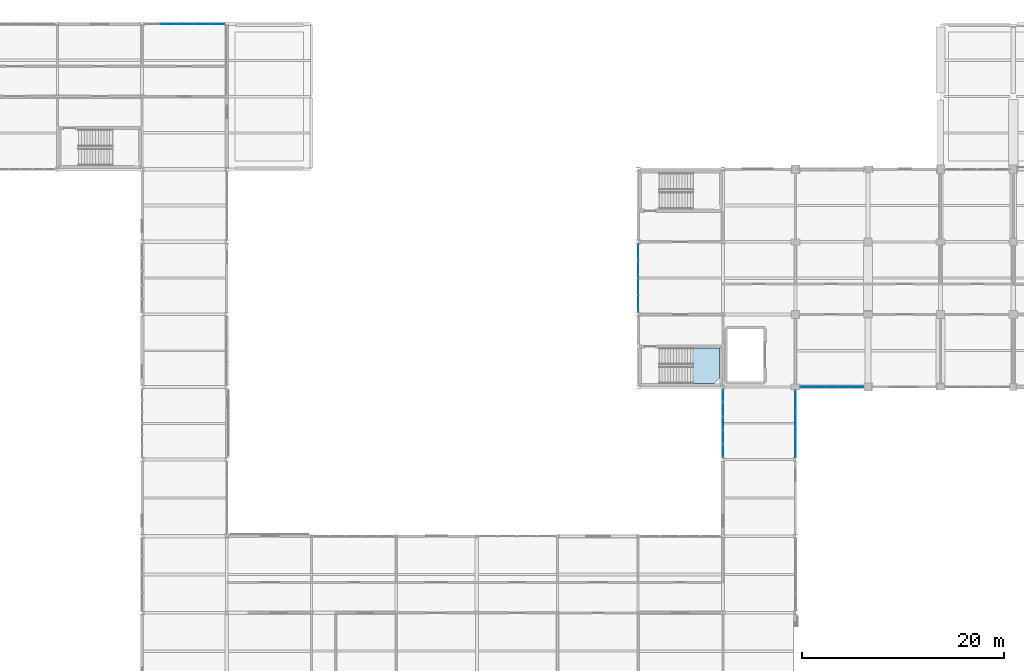
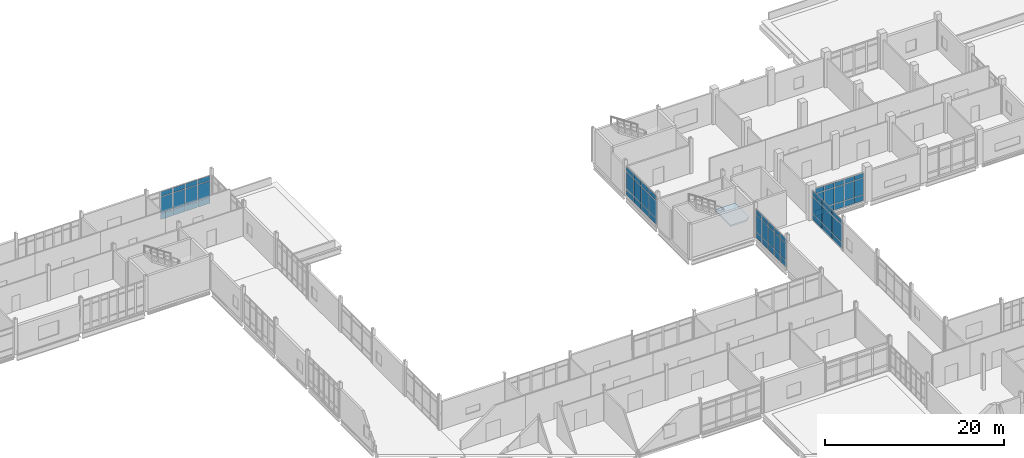
# One storey, part 130 of 186: 63 plates, 1 slab, 6 elements without a shape of their own.
"""IFC4 building model written with IfcOpenShell, lengths in metres."""

from ifc_helpers import new_model, si_unit, direction, frame, origin, origin_2d, place, context, subcontext, project, spatial, polyline, rectangle, outline, extrude, material, layer, layer_set, type_object, element, aggregate, save


model = new_model("IFC4")

# Units and contexts
model_context = context("Model", 3, precision=1e-05, world=origin(), true_north=direction((0.0, 1.0)))
body_context = subcontext(model_context, "Body", "Model", "MODEL_VIEW")
ifc_project = project(units=[si_unit("LENGTHUNIT", "METRE"), si_unit("AREAUNIT", "SQUARE_METRE"), si_unit("VOLUMEUNIT", "CUBIC_METRE"), si_unit("PLANEANGLEUNIT", "RADIAN"), si_unit("MASSUNIT", "GRAM", prefix="KILO")], contexts=[model_context])

# Site, building, storey
site_placement = place(None, origin())
site = spatial("IfcSite", under=ifc_project, at=site_placement, CompositionType="ELEMENT")
building_placement = place(site_placement, origin())
building = spatial("IfcBuilding", under=site, at=building_placement, Name="Calvrana Isthmian Art Gallery", CompositionType="ELEMENT")
storey_placement = place(building_placement, frame((0.0, 0.0, 5.39990234375)))
storey = spatial("IfcBuildingStorey", under=building, at=storey_placement, Name="L01", CompositionType="ELEMENT", Elevation=5.39990234375)

# Curtain wall, plates
ifc_material_1 = material(Name="Anodized bronze aluminium 6063-T6", Category="aluminium")
ifc_layer_1 = layer(ifc_material_1, 0.179931640625, Name="Anodized bronze aluminium 6063-T6")
ifc_layer_set_1 = layer_set([ifc_layer_1], Name="Anodized bronze aluminium 6063-T6")
curtain_wall_type_1 = type_object("IfcCurtainWallType", Name="CW-UNIT-063X39", PredefinedType="USERDEFINED", material=ifc_layer_set_1)
curtain_wall_1_placement = place(storey_placement, origin())
curtain_wall_1 = element("IfcCurtainWall", 1, at=curtain_wall_1_placement, inside=storey, type_object=curtain_wall_type_1, Name="Curtain wall CW-108", ObjectType="UNITISED CURTAIN WALL", PredefinedType="USERDEFINED")
ifc_material_2 = material(Name="Low-E laminated solar glass", Category="glass")
ifc_layer_2 = layer(ifc_material_2, 0.028076171875, Name="Low-E laminated solar glass")
ifc_layer_set_2 = layer_set([ifc_layer_2], Name="Low-E laminated solar glass")
plate_type = type_object("IfcPlateType", Name="CWP-VISION-28", PredefinedType="CURTAIN_PANEL", material=ifc_layer_set_2)
plate_1_placement = place(storey_placement, frame((126.14990234375, 76.800048828125, 0.070068359375), z_axis=(0.0, 0.0, 1.0), x_axis=(-1.0, 0.0, 0.0)))
plate_1 = element("IfcPlate", 2, at=plate_1_placement, type_object=plate_type, Name="CW-108 panel 1.1", PredefinedType="CURTAIN_PANEL", context=body_context, shape_type="SweptSolid", body=[
    extrude(rectangle(XDim=1.179931640625, YDim=0.028076171875, at=origin_2d()), origin(), (0.0, 0.0, 1.0), 0.794921875),
])
plate_2_placement = place(storey_placement, frame((126.14990234375, 76.800048828125, 0.93505859375), z_axis=(0.0, 0.0, 1.0), x_axis=(-1.0, 0.0, 0.0)))
plate_2 = element("IfcPlate", 3, at=plate_2_placement, type_object=plate_type, Name="CW-108 panel 1.2", PredefinedType="CURTAIN_PANEL", context=body_context, shape_type="SweptSolid", body=[
    extrude(rectangle(XDim=1.179931640625, YDim=0.028076171875, at=origin_2d()), origin(), (0.0, 0.0, 1.0), 2.193115234375),
])
plate_3_placement = place(storey_placement, frame((126.14990234375, 76.800048828125, 3.197998046875), z_axis=(0.0, 0.0, 1.0), x_axis=(-1.0, 0.0, 0.0)))
plate_3 = element("IfcPlate", 4, at=plate_3_placement, type_object=plate_type, Name="CW-108 panel 1.3", PredefinedType="CURTAIN_PANEL", context=body_context, shape_type="SweptSolid", body=[
    extrude(rectangle(XDim=1.179931640625, YDim=0.028076171875, at=origin_2d()), origin(), (0.0, 0.0, 1.0), 0.64501953125),
])
plate_4_placement = place(storey_placement, frame((124.89501953125, 76.800048828125, 0.070068359375), z_axis=(0.0, 0.0, 1.0), x_axis=(-1.0, 0.0, 0.0)))
plate_4 = element("IfcPlate", 5, at=plate_4_placement, type_object=plate_type, Name="CW-108 panel 2.1", PredefinedType="CURTAIN_PANEL", context=body_context, shape_type="SweptSolid", body=[
    extrude(rectangle(XDim=1.2099609375, YDim=0.028076171875, at=origin_2d()), origin(), (0.0, 0.0, 1.0), 0.794921875),
])
plate_5_placement = place(storey_placement, frame((124.89501953125, 76.800048828125, 0.93505859375), z_axis=(0.0, 0.0, 1.0), x_axis=(-1.0, 0.0, 0.0)))
plate_5 = element("IfcPlate", 6, at=plate_5_placement, type_object=plate_type, Name="CW-108 panel 2.2", PredefinedType="CURTAIN_PANEL", context=body_context, shape_type="SweptSolid", body=[
    extrude(rectangle(XDim=1.2099609375, YDim=0.028076171875, at=origin_2d()), origin(), (0.0, 0.0, 1.0), 2.193115234375),
])
plate_6_placement = place(storey_placement, frame((124.89501953125, 76.800048828125, 3.197998046875), z_axis=(0.0, 0.0, 1.0), x_axis=(-1.0, 0.0, 0.0)))
plate_6 = element("IfcPlate", 7, at=plate_6_placement, type_object=plate_type, Name="CW-108 panel 2.3", PredefinedType="CURTAIN_PANEL", context=body_context, shape_type="SweptSolid", body=[
    extrude(rectangle(XDim=1.2099609375, YDim=0.028076171875, at=origin_2d()), origin(), (0.0, 0.0, 1.0), 0.64501953125),
])
plate_7_placement = place(storey_placement, frame((123.625, 76.800048828125, 0.070068359375), z_axis=(0.0, 0.0, 1.0), x_axis=(-1.0, 0.0, 0.0)))
plate_7 = element("IfcPlate", 8, at=plate_7_placement, type_object=plate_type, Name="CW-108 panel 3.1", PredefinedType="CURTAIN_PANEL", context=body_context, shape_type="SweptSolid", body=[
    extrude(rectangle(XDim=1.2099609375, YDim=0.028076171875, at=origin_2d()), origin(), (0.0, 0.0, 1.0), 0.794921875),
])
plate_8_placement = place(storey_placement, frame((123.625, 76.800048828125, 0.93505859375), z_axis=(0.0, 0.0, 1.0), x_axis=(-1.0, 0.0, 0.0)))
plate_8 = element("IfcPlate", 9, at=plate_8_placement, type_object=plate_type, Name="CW-108 panel 3.2", PredefinedType="CURTAIN_PANEL", context=body_context, shape_type="SweptSolid", body=[
    extrude(rectangle(XDim=1.2099609375, YDim=0.028076171875, at=origin_2d()), origin(), (0.0, 0.0, 1.0), 2.193115234375),
])
plate_9_placement = place(storey_placement, frame((123.625, 76.800048828125, 3.197998046875), z_axis=(0.0, 0.0, 1.0), x_axis=(-1.0, 0.0, 0.0)))
plate_9 = element("IfcPlate", 10, at=plate_9_placement, type_object=plate_type, Name="CW-108 panel 3.3", PredefinedType="CURTAIN_PANEL", context=body_context, shape_type="SweptSolid", body=[
    extrude(rectangle(XDim=1.2099609375, YDim=0.028076171875, at=origin_2d()), origin(), (0.0, 0.0, 1.0), 0.64501953125),
])
plate_10_placement = place(storey_placement, frame((122.35498046875, 76.800048828125, 0.070068359375), z_axis=(0.0, 0.0, 1.0), x_axis=(-1.0, 0.0, 0.0)))
plate_10 = element("IfcPlate", 11, at=plate_10_placement, type_object=plate_type, Name="CW-108 panel 4.1", PredefinedType="CURTAIN_PANEL", context=body_context, shape_type="SweptSolid", body=[
    extrude(rectangle(XDim=1.2099609375, YDim=0.028076171875, at=origin_2d()), origin(), (0.0, 0.0, 1.0), 0.794921875),
])
plate_11_placement = place(storey_placement, frame((122.35498046875, 76.800048828125, 0.93505859375), z_axis=(0.0, 0.0, 1.0), x_axis=(-1.0, 0.0, 0.0)))
plate_11 = element("IfcPlate", 12, at=plate_11_placement, type_object=plate_type, Name="CW-108 panel 4.2", PredefinedType="CURTAIN_PANEL", context=body_context, shape_type="SweptSolid", body=[
    extrude(rectangle(XDim=1.2099609375, YDim=0.028076171875, at=origin_2d()), origin(), (0.0, 0.0, 1.0), 2.193115234375),
])
plate_12_placement = place(storey_placement, frame((122.35498046875, 76.800048828125, 3.197998046875), z_axis=(0.0, 0.0, 1.0), x_axis=(-1.0, 0.0, 0.0)))
plate_12 = element("IfcPlate", 13, at=plate_12_placement, type_object=plate_type, Name="CW-108 panel 4.3", PredefinedType="CURTAIN_PANEL", context=body_context, shape_type="SweptSolid", body=[
    extrude(rectangle(XDim=1.2099609375, YDim=0.028076171875, at=origin_2d()), origin(), (0.0, 0.0, 1.0), 0.64501953125),
])
plate_13_placement = place(storey_placement, frame((121.10009765625, 76.800048828125, 0.070068359375), z_axis=(0.0, 0.0, 1.0), x_axis=(-1.0, 0.0, 0.0)))
plate_13 = element("IfcPlate", 14, at=plate_13_placement, type_object=plate_type, Name="CW-108 panel 5.1", PredefinedType="CURTAIN_PANEL", context=body_context, shape_type="SweptSolid", body=[
    extrude(rectangle(XDim=1.179931640625, YDim=0.028076171875, at=origin_2d()), origin(), (0.0, 0.0, 1.0), 0.794921875),
])
plate_14_placement = place(storey_placement, frame((121.10009765625, 76.800048828125, 0.93505859375), z_axis=(0.0, 0.0, 1.0), x_axis=(-1.0, 0.0, 0.0)))
plate_14 = element("IfcPlate", 15, at=plate_14_placement, type_object=plate_type, Name="CW-108 panel 5.2", PredefinedType="CURTAIN_PANEL", context=body_context, shape_type="SweptSolid", body=[
    extrude(rectangle(XDim=1.179931640625, YDim=0.028076171875, at=origin_2d()), origin(), (0.0, 0.0, 1.0), 2.193115234375),
])
plate_15_placement = place(storey_placement, frame((121.10009765625, 76.800048828125, 3.197998046875), z_axis=(0.0, 0.0, 1.0), x_axis=(-1.0, 0.0, 0.0)))
plate_15 = element("IfcPlate", 16, at=plate_15_placement, type_object=plate_type, Name="CW-108 panel 5.3", PredefinedType="CURTAIN_PANEL", context=body_context, shape_type="SweptSolid", body=[
    extrude(rectangle(XDim=1.179931640625, YDim=0.028076171875, at=origin_2d()), origin(), (0.0, 0.0, 1.0), 0.64501953125),
])
aggregate(curtain_wall_1, [plate_1, plate_2, plate_3, plate_4, plate_5, plate_6, plate_7, plate_8, plate_9, plate_10, plate_11, plate_12, plate_13, plate_14, plate_15])

ifc_layer_3 = layer(ifc_material_1, 0.179931640625, Name="Anodized bronze aluminium 6063-T6")
ifc_layer_set_3 = layer_set([ifc_layer_3], Name="Anodized bronze aluminium 6063-T6")
curtain_wall_type_2 = type_object("IfcCurtainWallType", Name="CW-STICK-080X39", PredefinedType="NOTDEFINED", material=ifc_layer_set_3)
curtain_wall_2_placement = place(storey_placement, origin())
curtain_wall_2 = element("IfcCurtainWall", 17, at=curtain_wall_2_placement, inside=storey, type_object=curtain_wall_type_2, Name="Curtain wall CW-117", PredefinedType="NOTDEFINED")
plate_16_placement = place(storey_placement, frame((57.794921875, 112.800048828125, 0.06494140625), z_axis=(0.0, 0.0, 1.0), x_axis=(1.0, 0.0, 0.0)))
plate_16 = element("IfcPlate", 18, at=plate_16_placement, type_object=plate_type, Name="CW-117 panel 2.1", PredefinedType="CURTAIN_PANEL", context=body_context, shape_type="SweptSolid", body=[
    extrude(rectangle(XDim=1.53564453125, YDim=0.028076171875, at=origin_2d()), origin(), (0.0, 0.0, 1.0), 0.802490234375),
])
plate_17_placement = place(storey_placement, frame((57.794921875, 112.800048828125, 0.9326171875), z_axis=(0.0, 0.0, 1.0), x_axis=(1.0, 0.0, 0.0)))
plate_17 = element("IfcPlate", 19, at=plate_17_placement, type_object=plate_type, Name="CW-117 panel 2.2", PredefinedType="CURTAIN_PANEL", context=body_context, shape_type="SweptSolid", body=[
    extrude(rectangle(XDim=1.53564453125, YDim=0.028076171875, at=origin_2d()), origin(), (0.0, 0.0, 1.0), 2.18310546875),
])
plate_18_placement = place(storey_placement, frame((57.794921875, 112.800048828125, 3.1806640625), z_axis=(0.0, 0.0, 1.0), x_axis=(1.0, 0.0, 0.0)))
plate_18 = element("IfcPlate", 20, at=plate_18_placement, type_object=plate_type, Name="CW-117 panel 2.3", PredefinedType="CURTAIN_PANEL", context=body_context, shape_type="SweptSolid", body=[
    extrude(rectangle(XDim=1.53564453125, YDim=0.028076171875, at=origin_2d()), origin(), (0.0, 0.0, 1.0), 0.652587890625),
])
plate_19_placement = place(storey_placement, frame((59.400390625, 112.800048828125, 0.06494140625), z_axis=(0.0, 0.0, 1.0), x_axis=(1.0, 0.0, 0.0)))
plate_19 = element("IfcPlate", 21, at=plate_19_placement, type_object=plate_type, Name="CW-117 panel 3.1", PredefinedType="CURTAIN_PANEL", context=body_context, shape_type="SweptSolid", body=[
    extrude(rectangle(XDim=1.53564453125, YDim=0.028076171875, at=origin_2d()), origin(), (0.0, 0.0, 1.0), 0.802490234375),
])
plate_20_placement = place(storey_placement, frame((59.400390625, 112.800048828125, 0.9326171875), z_axis=(0.0, 0.0, 1.0), x_axis=(1.0, 0.0, 0.0)))
plate_20 = element("IfcPlate", 22, at=plate_20_placement, type_object=plate_type, Name="CW-117 panel 3.2", PredefinedType="CURTAIN_PANEL", context=body_context, shape_type="SweptSolid", body=[
    extrude(rectangle(XDim=1.53564453125, YDim=0.028076171875, at=origin_2d()), origin(), (0.0, 0.0, 1.0), 2.18310546875),
])
plate_21_placement = place(storey_placement, frame((59.400390625, 112.800048828125, 3.1806640625), z_axis=(0.0, 0.0, 1.0), x_axis=(1.0, 0.0, 0.0)))
plate_21 = element("IfcPlate", 23, at=plate_21_placement, type_object=plate_type, Name="CW-117 panel 3.3", PredefinedType="CURTAIN_PANEL", context=body_context, shape_type="SweptSolid", body=[
    extrude(rectangle(XDim=1.53564453125, YDim=0.028076171875, at=origin_2d()), origin(), (0.0, 0.0, 1.0), 0.652587890625),
])
plate_22_placement = place(storey_placement, frame((61.006103515625, 112.800048828125, 0.06494140625), z_axis=(0.0, 0.0, 1.0), x_axis=(1.0, 0.0, 0.0)))
plate_22 = element("IfcPlate", 24, at=plate_22_placement, type_object=plate_type, Name="CW-117 panel 4.1", PredefinedType="CURTAIN_PANEL", context=body_context, shape_type="SweptSolid", body=[
    extrude(rectangle(XDim=1.53564453125, YDim=0.028076171875, at=origin_2d()), origin(), (0.0, 0.0, 1.0), 0.802490234375),
])
plate_23_placement = place(storey_placement, frame((61.006103515625, 112.800048828125, 0.9326171875), z_axis=(0.0, 0.0, 1.0), x_axis=(1.0, 0.0, 0.0)))
plate_23 = element("IfcPlate", 25, at=plate_23_placement, type_object=plate_type, Name="CW-117 panel 4.2", PredefinedType="CURTAIN_PANEL", context=body_context, shape_type="SweptSolid", body=[
    extrude(rectangle(XDim=1.53564453125, YDim=0.028076171875, at=origin_2d()), origin(), (0.0, 0.0, 1.0), 2.18310546875),
])
plate_24_placement = place(storey_placement, frame((61.006103515625, 112.800048828125, 3.1806640625), z_axis=(0.0, 0.0, 1.0), x_axis=(1.0, 0.0, 0.0)))
plate_24 = element("IfcPlate", 26, at=plate_24_placement, type_object=plate_type, Name="CW-117 panel 4.3", PredefinedType="CURTAIN_PANEL", context=body_context, shape_type="SweptSolid", body=[
    extrude(rectangle(XDim=1.53564453125, YDim=0.028076171875, at=origin_2d()), origin(), (0.0, 0.0, 1.0), 0.652587890625),
])
plate_25_placement = place(storey_placement, frame((62.59423828125, 112.800048828125, 0.06494140625), z_axis=(0.0, 0.0, 1.0), x_axis=(1.0, 0.0, 0.0)))
plate_25 = element("IfcPlate", 27, at=plate_25_placement, type_object=plate_type, Name="CW-117 panel 5.1", PredefinedType="CURTAIN_PANEL", context=body_context, shape_type="SweptSolid", body=[
    extrude(rectangle(XDim=1.50048828125, YDim=0.028076171875, at=origin_2d()), origin(), (0.0, 0.0, 1.0), 0.802490234375),
])
plate_26_placement = place(storey_placement, frame((62.59423828125, 112.800048828125, 0.9326171875), z_axis=(0.0, 0.0, 1.0), x_axis=(1.0, 0.0, 0.0)))
plate_26 = element("IfcPlate", 28, at=plate_26_placement, type_object=plate_type, Name="CW-117 panel 5.2", PredefinedType="CURTAIN_PANEL", context=body_context, shape_type="SweptSolid", body=[
    extrude(rectangle(XDim=1.50048828125, YDim=0.028076171875, at=origin_2d()), origin(), (0.0, 0.0, 1.0), 2.18310546875),
])
plate_27_placement = place(storey_placement, frame((62.59423828125, 112.800048828125, 3.1806640625), z_axis=(0.0, 0.0, 1.0), x_axis=(1.0, 0.0, 0.0)))
plate_27 = element("IfcPlate", 29, at=plate_27_placement, type_object=plate_type, Name="CW-117 panel 5.3", PredefinedType="CURTAIN_PANEL", context=body_context, shape_type="SweptSolid", body=[
    extrude(rectangle(XDim=1.50048828125, YDim=0.028076171875, at=origin_2d()), origin(), (0.0, 0.0, 1.0), 0.652587890625),
])
aggregate(curtain_wall_2, [plate_16, plate_17, plate_18, plate_19, plate_20, plate_21, plate_22, plate_23, plate_24, plate_25, plate_26, plate_27])

ifc_layer_4 = layer(ifc_material_1, 0.179931640625, Name="Anodized bronze aluminium 6063-T6")
ifc_layer_set_4 = layer_set([ifc_layer_4], Name="Anodized bronze aluminium 6063-T6")
curtain_wall_type_3 = type_object("IfcCurtainWallType", Name="CW-STICK-068X41", PredefinedType="NOTDEFINED", material=ifc_layer_set_4)
curtain_wall_3_placement = place(storey_placement, origin())
curtain_wall_3 = element("IfcCurtainWall", 30, at=curtain_wall_3_placement, inside=storey, type_object=curtain_wall_type_3, Name="Curtain wall CW-134", PredefinedType="NOTDEFINED")
plate_28_placement = place(storey_placement, frame((104.39990234375, 85.04931640625, 0.074951171875), z_axis=(0.0, 0.0, 1.0), x_axis=(0.0, 1.0, 0.0)))
plate_28 = element("IfcPlate", 31, at=plate_28_placement, type_object=plate_type, Name="CW-134 panel 1.1", PredefinedType="CURTAIN_PANEL", context=body_context, shape_type="SweptSolid", body=[
    extrude(rectangle(XDim=1.612548828125, YDim=0.028076171875, at=origin_2d()), origin(), (0.0, 0.0, 1.0), 0.78759765625),
])
plate_29_placement = place(storey_placement, frame((104.39990234375, 85.04931640625, 0.9375), z_axis=(0.0, 0.0, 1.0), x_axis=(0.0, 1.0, 0.0)))
plate_29 = element("IfcPlate", 32, at=plate_29_placement, type_object=plate_type, Name="CW-134 panel 1.2", PredefinedType="CURTAIN_PANEL", context=body_context, shape_type="SweptSolid", body=[
    extrude(rectangle(XDim=1.612548828125, YDim=0.028076171875, at=origin_2d()), origin(), (0.0, 0.0, 1.0), 2.3330078125),
])
plate_30_placement = place(storey_placement, frame((104.39990234375, 85.04931640625, 3.345703125), z_axis=(0.0, 0.0, 1.0), x_axis=(0.0, 1.0, 0.0)))
plate_30 = element("IfcPlate", 33, at=plate_30_placement, type_object=plate_type, Name="CW-134 panel 1.3", PredefinedType="CURTAIN_PANEL", context=body_context, shape_type="SweptSolid", body=[
    extrude(rectangle(XDim=1.612548828125, YDim=0.028076171875, at=origin_2d()), origin(), (0.0, 0.0, 1.0), 0.637451171875),
])
plate_31_placement = place(storey_placement, frame((104.39990234375, 86.7431640625, 0.074951171875), z_axis=(0.0, 0.0, 1.0), x_axis=(0.0, 1.0, 0.0)))
plate_31 = element("IfcPlate", 34, at=plate_31_placement, type_object=plate_type, Name="CW-134 panel 2.1", PredefinedType="CURTAIN_PANEL", context=body_context, shape_type="SweptSolid", body=[
    extrude(rectangle(XDim=1.64501953125, YDim=0.028076171875, at=origin_2d()), origin(), (0.0, 0.0, 1.0), 0.78759765625),
])
plate_32_placement = place(storey_placement, frame((104.39990234375, 86.7431640625, 0.9375), z_axis=(0.0, 0.0, 1.0), x_axis=(0.0, 1.0, 0.0)))
plate_32 = element("IfcPlate", 35, at=plate_32_placement, type_object=plate_type, Name="CW-134 panel 2.2", PredefinedType="CURTAIN_PANEL", context=body_context, shape_type="SweptSolid", body=[
    extrude(rectangle(XDim=1.64501953125, YDim=0.028076171875, at=origin_2d()), origin(), (0.0, 0.0, 1.0), 2.3330078125),
])
plate_33_placement = place(storey_placement, frame((104.39990234375, 86.7431640625, 3.345703125), z_axis=(0.0, 0.0, 1.0), x_axis=(0.0, 1.0, 0.0)))
plate_33 = element("IfcPlate", 36, at=plate_33_placement, type_object=plate_type, Name="CW-134 panel 2.3", PredefinedType="CURTAIN_PANEL", context=body_context, shape_type="SweptSolid", body=[
    extrude(rectangle(XDim=1.64501953125, YDim=0.028076171875, at=origin_2d()), origin(), (0.0, 0.0, 1.0), 0.637451171875),
])
plate_34_placement = place(storey_placement, frame((104.39990234375, 88.453369140625, 0.074951171875), z_axis=(0.0, 0.0, 1.0), x_axis=(0.0, 1.0, 0.0)))
plate_34 = element("IfcPlate", 37, at=plate_34_placement, type_object=plate_type, Name="CW-134 panel 3.1", PredefinedType="CURTAIN_PANEL", context=body_context, shape_type="SweptSolid", body=[
    extrude(rectangle(XDim=1.64501953125, YDim=0.028076171875, at=origin_2d()), origin(), (0.0, 0.0, 1.0), 0.78759765625),
])
plate_35_placement = place(storey_placement, frame((104.39990234375, 88.453369140625, 0.9375), z_axis=(0.0, 0.0, 1.0), x_axis=(0.0, 1.0, 0.0)))
plate_35 = element("IfcPlate", 38, at=plate_35_placement, type_object=plate_type, Name="CW-134 panel 3.2", PredefinedType="CURTAIN_PANEL", context=body_context, shape_type="SweptSolid", body=[
    extrude(rectangle(XDim=1.64501953125, YDim=0.028076171875, at=origin_2d()), origin(), (0.0, 0.0, 1.0), 2.3330078125),
])
plate_36_placement = place(storey_placement, frame((104.39990234375, 88.453369140625, 3.345703125), z_axis=(0.0, 0.0, 1.0), x_axis=(0.0, 1.0, 0.0)))
plate_36 = element("IfcPlate", 39, at=plate_36_placement, type_object=plate_type, Name="CW-134 panel 3.3", PredefinedType="CURTAIN_PANEL", context=body_context, shape_type="SweptSolid", body=[
    extrude(rectangle(XDim=1.64501953125, YDim=0.028076171875, at=origin_2d()), origin(), (0.0, 0.0, 1.0), 0.637451171875),
])
plate_37_placement = place(storey_placement, frame((104.39990234375, 90.147216796875, 0.074951171875), z_axis=(0.0, 0.0, 1.0), x_axis=(0.0, 1.0, 0.0)))
plate_37 = element("IfcPlate", 40, at=plate_37_placement, type_object=plate_type, Name="CW-134 panel 4.1", PredefinedType="CURTAIN_PANEL", context=body_context, shape_type="SweptSolid", body=[
    extrude(rectangle(XDim=1.612548828125, YDim=0.028076171875, at=origin_2d()), origin(), (0.0, 0.0, 1.0), 0.78759765625),
])
plate_38_placement = place(storey_placement, frame((104.39990234375, 90.147216796875, 0.9375), z_axis=(0.0, 0.0, 1.0), x_axis=(0.0, 1.0, 0.0)))
plate_38 = element("IfcPlate", 41, at=plate_38_placement, type_object=plate_type, Name="CW-134 panel 4.2", PredefinedType="CURTAIN_PANEL", context=body_context, shape_type="SweptSolid", body=[
    extrude(rectangle(XDim=1.612548828125, YDim=0.028076171875, at=origin_2d()), origin(), (0.0, 0.0, 1.0), 2.3330078125),
])
plate_39_placement = place(storey_placement, frame((104.39990234375, 90.147216796875, 3.345703125), z_axis=(0.0, 0.0, 1.0), x_axis=(0.0, 1.0, 0.0)))
plate_39 = element("IfcPlate", 42, at=plate_39_placement, type_object=plate_type, Name="CW-134 panel 4.3", PredefinedType="CURTAIN_PANEL", context=body_context, shape_type="SweptSolid", body=[
    extrude(rectangle(XDim=1.612548828125, YDim=0.028076171875, at=origin_2d()), origin(), (0.0, 0.0, 1.0), 0.637451171875),
])
aggregate(curtain_wall_3, [plate_28, plate_29, plate_30, plate_31, plate_32, plate_33, plate_34, plate_35, plate_36, plate_37, plate_38, plate_39])

ifc_layer_5 = layer(ifc_material_1, 0.179931640625, Name="Anodized bronze aluminium 6063-T6")
ifc_layer_set_5 = layer_set([ifc_layer_5], Name="Anodized bronze aluminium 6063-T6")
curtain_wall_type_4 = type_object("IfcCurtainWallType", Name="CW-UNIT-068X40", PredefinedType="USERDEFINED", material=ifc_layer_set_5)
curtain_wall_4_placement = place(storey_placement, origin())
curtain_wall_4 = element("IfcCurtainWall", 43, at=curtain_wall_4_placement, inside=storey, type_object=curtain_wall_type_4, Name="Curtain wall CW-137", ObjectType="UNITISED CURTAIN WALL", PredefinedType="USERDEFINED")
plate_40_placement = place(storey_placement, frame((112.800048828125, 70.48486328125, 0.06494140625), z_axis=(0.0, 0.0, 1.0), x_axis=(0.0, 1.0, 0.0)))
plate_40 = element("IfcPlate", 44, at=plate_40_placement, type_object=plate_type, Name="CW-137 panel 1.1", PredefinedType="CURTAIN_PANEL", context=body_context, shape_type="SweptSolid", body=[
    extrude(rectangle(XDim=1.246826171875, YDim=0.028076171875, at=origin_2d()), origin(), (0.0, 0.0, 1.0), 0.802490234375),
])
plate_41_placement = place(storey_placement, frame((112.800048828125, 70.48486328125, 0.9326171875), z_axis=(0.0, 0.0, 1.0), x_axis=(0.0, 1.0, 0.0)))
plate_41 = element("IfcPlate", 45, at=plate_41_placement, type_object=plate_type, Name="CW-137 panel 1.2", PredefinedType="CURTAIN_PANEL", context=body_context, shape_type="SweptSolid", body=[
    extrude(rectangle(XDim=1.246826171875, YDim=0.028076171875, at=origin_2d()), origin(), (0.0, 0.0, 1.0), 2.27197265625),
])
plate_42_placement = place(storey_placement, frame((112.800048828125, 70.48486328125, 3.26953125), z_axis=(0.0, 0.0, 1.0), x_axis=(0.0, 1.0, 0.0)))
plate_42 = element("IfcPlate", 46, at=plate_42_placement, type_object=plate_type, Name="CW-137 panel 1.3", PredefinedType="CURTAIN_PANEL", context=body_context, shape_type="SweptSolid", body=[
    extrude(rectangle(XDim=1.246826171875, YDim=0.028076171875, at=origin_2d()), origin(), (0.0, 0.0, 1.0), 0.652587890625),
])
plate_43_placement = place(storey_placement, frame((112.800048828125, 71.831787109375, 0.06494140625), z_axis=(0.0, 0.0, 1.0), x_axis=(0.0, 1.0, 0.0)))
plate_43 = element("IfcPlate", 47, at=plate_43_placement, type_object=plate_type, Name="CW-137 panel 2.1", PredefinedType="CURTAIN_PANEL", context=body_context, shape_type="SweptSolid", body=[
    extrude(rectangle(XDim=1.286865234375, YDim=0.028076171875, at=origin_2d()), origin(), (0.0, 0.0, 1.0), 0.802490234375),
])
plate_44_placement = place(storey_placement, frame((112.800048828125, 71.831787109375, 0.9326171875), z_axis=(0.0, 0.0, 1.0), x_axis=(0.0, 1.0, 0.0)))
plate_44 = element("IfcPlate", 48, at=plate_44_placement, type_object=plate_type, Name="CW-137 panel 2.2", PredefinedType="CURTAIN_PANEL", context=body_context, shape_type="SweptSolid", body=[
    extrude(rectangle(XDim=1.286865234375, YDim=0.028076171875, at=origin_2d()), origin(), (0.0, 0.0, 1.0), 2.27197265625),
])
plate_45_placement = place(storey_placement, frame((112.800048828125, 71.831787109375, 3.26953125), z_axis=(0.0, 0.0, 1.0), x_axis=(0.0, 1.0, 0.0)))
plate_45 = element("IfcPlate", 49, at=plate_45_placement, type_object=plate_type, Name="CW-137 panel 2.3", PredefinedType="CURTAIN_PANEL", context=body_context, shape_type="SweptSolid", body=[
    extrude(rectangle(XDim=1.286865234375, YDim=0.028076171875, at=origin_2d()), origin(), (0.0, 0.0, 1.0), 0.652587890625),
])
plate_46_placement = place(storey_placement, frame((112.800048828125, 73.19873046875, 0.06494140625), z_axis=(0.0, 0.0, 1.0), x_axis=(0.0, 1.0, 0.0)))
plate_46 = element("IfcPlate", 50, at=plate_46_placement, type_object=plate_type, Name="CW-137 panel 3.1", PredefinedType="CURTAIN_PANEL", context=body_context, shape_type="SweptSolid", body=[
    extrude(rectangle(XDim=1.286865234375, YDim=0.028076171875, at=origin_2d()), origin(), (0.0, 0.0, 1.0), 0.802490234375),
])
plate_47_placement = place(storey_placement, frame((112.800048828125, 73.19873046875, 0.9326171875), z_axis=(0.0, 0.0, 1.0), x_axis=(0.0, 1.0, 0.0)))
plate_47 = element("IfcPlate", 51, at=plate_47_placement, type_object=plate_type, Name="CW-137 panel 3.2", PredefinedType="CURTAIN_PANEL", context=body_context, shape_type="SweptSolid", body=[
    extrude(rectangle(XDim=1.286865234375, YDim=0.028076171875, at=origin_2d()), origin(), (0.0, 0.0, 1.0), 2.27197265625),
])
plate_48_placement = place(storey_placement, frame((112.800048828125, 73.19873046875, 3.26953125), z_axis=(0.0, 0.0, 1.0), x_axis=(0.0, 1.0, 0.0)))
plate_48 = element("IfcPlate", 52, at=plate_48_placement, type_object=plate_type, Name="CW-137 panel 3.3", PredefinedType="CURTAIN_PANEL", context=body_context, shape_type="SweptSolid", body=[
    extrude(rectangle(XDim=1.286865234375, YDim=0.028076171875, at=origin_2d()), origin(), (0.0, 0.0, 1.0), 0.652587890625),
])
plate_49_placement = place(storey_placement, frame((112.800048828125, 74.565673828125, 0.06494140625), z_axis=(0.0, 0.0, 1.0), x_axis=(0.0, 1.0, 0.0)))
plate_49 = element("IfcPlate", 53, at=plate_49_placement, type_object=plate_type, Name="CW-137 panel 4.1", PredefinedType="CURTAIN_PANEL", context=body_context, shape_type="SweptSolid", body=[
    extrude(rectangle(XDim=1.286865234375, YDim=0.028076171875, at=origin_2d()), origin(), (0.0, 0.0, 1.0), 0.802490234375),
])
plate_50_placement = place(storey_placement, frame((112.800048828125, 74.565673828125, 0.9326171875), z_axis=(0.0, 0.0, 1.0), x_axis=(0.0, 1.0, 0.0)))
plate_50 = element("IfcPlate", 54, at=plate_50_placement, type_object=plate_type, Name="CW-137 panel 4.2", PredefinedType="CURTAIN_PANEL", context=body_context, shape_type="SweptSolid", body=[
    extrude(rectangle(XDim=1.286865234375, YDim=0.028076171875, at=origin_2d()), origin(), (0.0, 0.0, 1.0), 2.27197265625),
])
plate_51_placement = place(storey_placement, frame((112.800048828125, 74.565673828125, 3.26953125), z_axis=(0.0, 0.0, 1.0), x_axis=(0.0, 1.0, 0.0)))
plate_51 = element("IfcPlate", 55, at=plate_51_placement, type_object=plate_type, Name="CW-137 panel 4.3", PredefinedType="CURTAIN_PANEL", context=body_context, shape_type="SweptSolid", body=[
    extrude(rectangle(XDim=1.286865234375, YDim=0.028076171875, at=origin_2d()), origin(), (0.0, 0.0, 1.0), 0.652587890625),
])
plate_52_placement = place(storey_placement, frame((112.800048828125, 75.91259765625, 0.06494140625), z_axis=(0.0, 0.0, 1.0), x_axis=(0.0, 1.0, 0.0)))
plate_52 = element("IfcPlate", 56, at=plate_52_placement, type_object=plate_type, Name="CW-137 panel 5.1", PredefinedType="CURTAIN_PANEL", context=body_context, shape_type="SweptSolid", body=[
    extrude(rectangle(XDim=1.246826171875, YDim=0.028076171875, at=origin_2d()), origin(), (0.0, 0.0, 1.0), 0.802490234375),
])
plate_53_placement = place(storey_placement, frame((112.800048828125, 75.91259765625, 0.9326171875), z_axis=(0.0, 0.0, 1.0), x_axis=(0.0, 1.0, 0.0)))
plate_53 = element("IfcPlate", 57, at=plate_53_placement, type_object=plate_type, Name="CW-137 panel 5.2", PredefinedType="CURTAIN_PANEL", context=body_context, shape_type="SweptSolid", body=[
    extrude(rectangle(XDim=1.246826171875, YDim=0.028076171875, at=origin_2d()), origin(), (0.0, 0.0, 1.0), 2.27197265625),
])
plate_54_placement = place(storey_placement, frame((112.800048828125, 75.91259765625, 3.26953125), z_axis=(0.0, 0.0, 1.0), x_axis=(0.0, 1.0, 0.0)))
plate_54 = element("IfcPlate", 58, at=plate_54_placement, type_object=plate_type, Name="CW-137 panel 5.3", PredefinedType="CURTAIN_PANEL", context=body_context, shape_type="SweptSolid", body=[
    extrude(rectangle(XDim=1.246826171875, YDim=0.028076171875, at=origin_2d()), origin(), (0.0, 0.0, 1.0), 0.652587890625),
])
aggregate(curtain_wall_4, [plate_40, plate_41, plate_42, plate_43, plate_44, plate_45, plate_46, plate_47, plate_48, plate_49, plate_50, plate_51, plate_52, plate_53, plate_54])

ifc_layer_6 = layer(ifc_material_1, 0.179931640625, Name="Anodized bronze aluminium 6063-T6")
ifc_layer_set_6 = layer_set([ifc_layer_6], Name="Anodized bronze aluminium 6063-T6")
curtain_wall_type_5 = type_object("IfcCurtainWallType", Name="CW-UNIT-067X41", PredefinedType="USERDEFINED", material=ifc_layer_set_6)
curtain_wall_5_placement = place(storey_placement, origin())
curtain_wall_5 = element("IfcCurtainWall", 59, at=curtain_wall_5_placement, inside=storey, type_object=curtain_wall_type_5, Name="Curtain wall CW-139", ObjectType="UNITISED CURTAIN WALL", PredefinedType="USERDEFINED")
plate_55_placement = place(storey_placement, frame((120.0, 75.36474609375, 0.074951171875), z_axis=(0.0, 0.0, 1.0), x_axis=(0.0, -1.0, 0.0)))
plate_55 = element("IfcPlate", 60, at=plate_55_placement, type_object=plate_type, Name="CW-139 panel 1.1", PredefinedType="CURTAIN_PANEL", context=body_context, shape_type="SweptSolid", body=[
    extrude(rectangle(XDim=2.150634765625, YDim=0.028076171875, at=origin_2d()), origin(), (0.0, 0.0, 1.0), 0.78759765625),
])
plate_56_placement = place(storey_placement, frame((120.0, 75.36474609375, 0.9375), z_axis=(0.0, 0.0, 1.0), x_axis=(0.0, -1.0, 0.0)))
plate_56 = element("IfcPlate", 61, at=plate_56_placement, type_object=plate_type, Name="CW-139 panel 1.2", PredefinedType="CURTAIN_PANEL", context=body_context, shape_type="SweptSolid", body=[
    extrude(rectangle(XDim=2.150634765625, YDim=0.028076171875, at=origin_2d()), origin(), (0.0, 0.0, 1.0), 2.3330078125),
])
plate_57_placement = place(storey_placement, frame((120.0, 75.36474609375, 3.345703125), z_axis=(0.0, 0.0, 1.0), x_axis=(0.0, -1.0, 0.0)))
plate_57 = element("IfcPlate", 62, at=plate_57_placement, type_object=plate_type, Name="CW-139 panel 1.3", PredefinedType="CURTAIN_PANEL", context=body_context, shape_type="SweptSolid", body=[
    extrude(rectangle(XDim=2.150634765625, YDim=0.028076171875, at=origin_2d()), origin(), (0.0, 0.0, 1.0), 0.637451171875),
])
plate_58_placement = place(storey_placement, frame((120.0, 73.138916015625, 0.074951171875), z_axis=(0.0, 0.0, 1.0), x_axis=(0.0, -1.0, 0.0)))
plate_58 = element("IfcPlate", 63, at=plate_58_placement, type_object=plate_type, Name="CW-139 panel 2.1", PredefinedType="CURTAIN_PANEL", context=body_context, shape_type="SweptSolid", body=[
    extrude(rectangle(XDim=2.1806640625, YDim=0.028076171875, at=origin_2d()), origin(), (0.0, 0.0, 1.0), 0.78759765625),
])
plate_59_placement = place(storey_placement, frame((120.0, 73.138916015625, 0.9375), z_axis=(0.0, 0.0, 1.0), x_axis=(0.0, -1.0, 0.0)))
plate_59 = element("IfcPlate", 64, at=plate_59_placement, type_object=plate_type, Name="CW-139 panel 2.2", PredefinedType="CURTAIN_PANEL", context=body_context, shape_type="SweptSolid", body=[
    extrude(rectangle(XDim=2.1806640625, YDim=0.028076171875, at=origin_2d()), origin(), (0.0, 0.0, 1.0), 2.3330078125),
])
plate_60_placement = place(storey_placement, frame((120.0, 73.138916015625, 3.345703125), z_axis=(0.0, 0.0, 1.0), x_axis=(0.0, -1.0, 0.0)))
plate_60 = element("IfcPlate", 65, at=plate_60_placement, type_object=plate_type, Name="CW-139 panel 2.3", PredefinedType="CURTAIN_PANEL", context=body_context, shape_type="SweptSolid", body=[
    extrude(rectangle(XDim=2.1806640625, YDim=0.028076171875, at=origin_2d()), origin(), (0.0, 0.0, 1.0), 0.637451171875),
])
plate_61_placement = place(storey_placement, frame((120.0, 70.913330078125, 0.074951171875), z_axis=(0.0, 0.0, 1.0), x_axis=(0.0, -1.0, 0.0)))
plate_61 = element("IfcPlate", 66, at=plate_61_placement, type_object=plate_type, Name="CW-139 panel 3.1", PredefinedType="CURTAIN_PANEL", context=body_context, shape_type="SweptSolid", body=[
    extrude(rectangle(XDim=2.150634765625, YDim=0.028076171875, at=origin_2d()), origin(), (0.0, 0.0, 1.0), 0.78759765625),
])
plate_62_placement = place(storey_placement, frame((120.0, 70.913330078125, 0.9375), z_axis=(0.0, 0.0, 1.0), x_axis=(0.0, -1.0, 0.0)))
plate_62 = element("IfcPlate", 67, at=plate_62_placement, type_object=plate_type, Name="CW-139 panel 3.2", PredefinedType="CURTAIN_PANEL", context=body_context, shape_type="SweptSolid", body=[
    extrude(rectangle(XDim=2.150634765625, YDim=0.028076171875, at=origin_2d()), origin(), (0.0, 0.0, 1.0), 2.3330078125),
])
plate_63_placement = place(storey_placement, frame((120.0, 70.913330078125, 3.345703125), z_axis=(0.0, 0.0, 1.0), x_axis=(0.0, -1.0, 0.0)))
plate_63 = element("IfcPlate", 68, at=plate_63_placement, type_object=plate_type, Name="CW-139 panel 3.3", PredefinedType="CURTAIN_PANEL", context=body_context, shape_type="SweptSolid", body=[
    extrude(rectangle(XDim=2.150634765625, YDim=0.028076171875, at=origin_2d()), origin(), (0.0, 0.0, 1.0), 0.637451171875),
])
aggregate(curtain_wall_5, [plate_55, plate_56, plate_57, plate_58, plate_59, plate_60, plate_61, plate_62, plate_63])

# Stair, slab
ifc_material_3 = material(Name="Concrete C40/50", Category="concrete")
stair_type = type_object("IfcStairType", Name="STR-HT-480", PredefinedType="HALF_TURN_STAIR", material=ifc_material_3)
stair_placement = place(storey_placement, origin())
stair = element("IfcStair", 69, at=stair_placement, inside=storey, type_object=stair_type, Name="Protected exit stair ST-5 (L01)", PredefinedType="HALF_TURN_STAIR")
ifc_layer_7 = layer(ifc_material_3, 0.199951171875, Name="Concrete C40/50")
ifc_layer_set_7 = layer_set([ifc_layer_7], Name="Concrete C40/50")
slab_type = type_object("IfcSlabType", Name="SLB-LAND-200", PredefinedType="LANDING", material=ifc_layer_set_7)
slab_placement = place(storey_placement, frame((0.0, 0.0, 2.2001953125)))
slab = element("IfcSlab", 70, at=slab_placement, type_object=slab_type, Name="ST-5 landing 1", PredefinedType="LANDING", context=body_context, shape_type="SweptSolid", body=[
    extrude(outline(polyline([(109.860107421875, 77.14990234375), (111.93994140625, 77.14990234375), (112.4599609375, 77.669921875), (112.4599609375, 80.669921875), (109.860107421875, 80.669921875), (109.860107421875, 77.14990234375)])), origin(), (0.0, 0.0, 1.0), 0.199951171875),
])
aggregate(stair, [slab])

save(model, "model.ifc")
